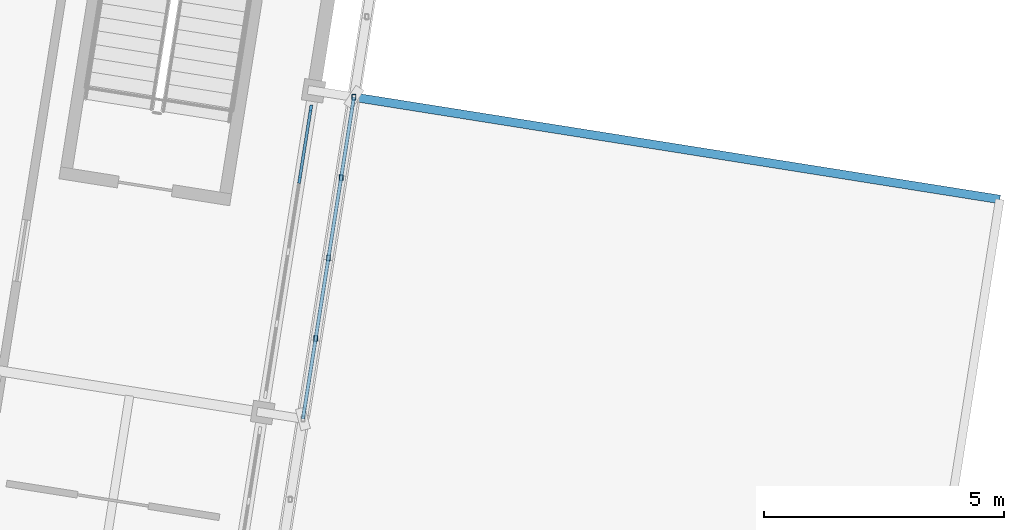
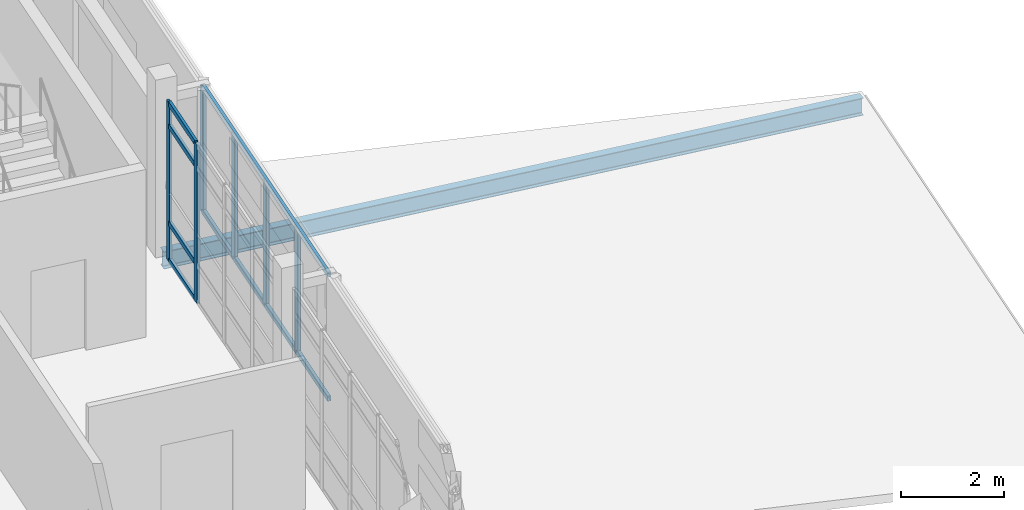
# One storey, part 84 of 137: 12 members, 1 beam, 1 element without a shape of its own.
"""IFC4 building model written with IfcOpenShell, lengths in metres."""

from ifc_helpers import new_model, si_unit, direction, frame, origin, origin_2d, place, context, subcontext, project, spatial, rectangle, hollow_rectangle, i_section, extrude, material, material_profile, profile_set, type_object, element, aggregate, save


model = new_model("IFC4")

# Units and contexts
model_context = context("Model", 3, precision=1e-05, world=origin(), true_north=direction((0.0, 1.0)))
body_context = subcontext(model_context, "Body", "Model", "MODEL_VIEW")
ifc_project = project(units=[si_unit("LENGTHUNIT", "METRE"), si_unit("AREAUNIT", "SQUARE_METRE"), si_unit("VOLUMEUNIT", "CUBIC_METRE"), si_unit("PLANEANGLEUNIT", "RADIAN"), si_unit("MASSUNIT", "GRAM", prefix="KILO")], contexts=[model_context])

# Site, building, storey
site_placement = place(None, origin())
site = spatial("IfcSite", under=ifc_project, at=site_placement, CompositionType="ELEMENT")
building_placement = place(site_placement, origin())
building = spatial("IfcBuilding", under=site, at=building_placement, Name="Cinderway Yard Community Centre", CompositionType="ELEMENT")
storey_placement = place(building_placement, frame((0.0, 0.0, 4.800048828125)))
storey = spatial("IfcBuildingStorey", under=building, at=storey_placement, Name="L01", CompositionType="ELEMENT", Elevation=4.800048828125)

# Curtain wall, members
ifc_material_1 = material(Name="Aluminium 6063-T6", Category="aluminium")
curtain_wall_type = type_object("IfcCurtainWallType", Name="ENV-CW-TYPE-16", PredefinedType="USERDEFINED", material=ifc_material_1)
curtain_wall_placement = place(storey_placement, origin())
curtain_wall = element("IfcCurtainWall", 1, at=curtain_wall_placement, inside=storey, type_object=curtain_wall_type, Name="Fitness East Curtain Wall ENV-CW-L01-ST-0059", ObjectType="GLAZED CURTAIN WALL", PredefinedType="USERDEFINED")
ifc_material_profile_1 = material_profile(ifc_material_1, rectangle(XDim=0.06005859375, YDim=0.159912109375, at=origin_2d()), Name="Aluminium 6063-T6")
ifc_profile_set_1 = profile_set([ifc_material_profile_1], Name="Aluminium 6063-T6")
member_type_1 = type_object("IfcMemberType", Name="ENV-CW-MULL-150", PredefinedType="MULLION", material=ifc_profile_set_1)
member_1_placement = place(storey_placement, frame((151.592529296875, 58.320068359375, 0.0), z_axis=(0.0, 0.0, 1.0), x_axis=(-0.987691073089, 0.156417211778, 0.0)))
member_1 = element("IfcMember", 2, at=member_1_placement, type_object=member_type_1, Name="CW-16 mullion 4", PredefinedType="MULLION", context=body_context, shape_type="SweptSolid", body=[
    extrude(rectangle(XDim=0.06005859375, YDim=0.159912109375, at=origin_2d()), origin(), (0.0, 0.0, 1.0), 3.75),
])
member_2_placement = place(storey_placement, frame((151.826416015625, 59.79638671875, 0.0), z_axis=(0.0, 0.0, 1.0), x_axis=(-0.987691073089, 0.156417211778, 0.0)))
member_2 = element("IfcMember", 3, at=member_2_placement, type_object=member_type_1, Name="CW-16 mullion 5", PredefinedType="MULLION", context=body_context, shape_type="SweptSolid", body=[
    extrude(rectangle(XDim=0.06005859375, YDim=0.159912109375, at=origin_2d()), origin(), (0.0, 0.0, 1.0), 3.75),
])
ifc_material_profile_2 = material_profile(ifc_material_1, rectangle(XDim=0.06005859375, YDim=0.1201171875, at=origin_2d()), Name="Aluminium 6063-T6")
ifc_profile_set_2 = profile_set([ifc_material_profile_2], Name="Aluminium 6063-T6")
member_type_2 = type_object("IfcMemberType", Name="ENV-CW-TRAN-110", PredefinedType="USERDEFINED", material=ifc_profile_set_2)
member_3_placement = place(storey_placement, frame((151.59716796875, 58.349609375, 0.030029296875), z_axis=(0.156364473776, 0.98769942358, 0.0), x_axis=(-0.98769942358, 0.156364473776, 0.0)))
member_3 = element("IfcMember", 4, at=member_3_placement, type_object=member_type_2, Name="CW-16 transom 4.1", ObjectType="TRANSOM", PredefinedType="USERDEFINED", context=body_context, shape_type="SweptSolid", body=[
    extrude(rectangle(XDim=0.06005859375, YDim=0.1201171875, at=origin_2d()), origin(), (0.0, 0.0, 1.0), 1.434814453125),
])
member_4_placement = place(storey_placement, frame((151.59716796875, 58.349609375, 0.89990234375), z_axis=(0.156364473776, 0.98769942358, 0.0), x_axis=(-0.98769942358, 0.156364473776, 0.0)))
member_4 = element("IfcMember", 5, at=member_4_placement, type_object=member_type_2, Name="CW-16 transom 4.2", ObjectType="TRANSOM", PredefinedType="USERDEFINED", context=body_context, shape_type="SweptSolid", body=[
    extrude(rectangle(XDim=0.06005859375, YDim=0.1201171875, at=origin_2d()), origin(), (0.0, 0.0, 1.0), 1.434814453125),
])
member_5_placement = place(storey_placement, frame((151.59716796875, 58.349609375, 3.199951171875), z_axis=(0.156364473776, 0.98769942358, 0.0), x_axis=(-0.98769942358, 0.156364473776, 0.0)))
member_5 = element("IfcMember", 6, at=member_5_placement, type_object=member_type_2, Name="CW-16 transom 4.3", ObjectType="TRANSOM", PredefinedType="USERDEFINED", context=body_context, shape_type="SweptSolid", body=[
    extrude(rectangle(XDim=0.06005859375, YDim=0.1201171875, at=origin_2d()), origin(), (0.0, 0.0, 1.0), 1.434814453125),
])
member_6_placement = place(storey_placement, frame((151.59716796875, 58.349609375, 3.719970703125), z_axis=(0.156364473776, 0.98769942358, 0.0), x_axis=(-0.98769942358, 0.156364473776, 0.0)))
member_6 = element("IfcMember", 7, at=member_6_placement, type_object=member_type_2, Name="CW-16 transom 4.4", ObjectType="TRANSOM", PredefinedType="USERDEFINED", context=body_context, shape_type="SweptSolid", body=[
    extrude(rectangle(XDim=0.06005859375, YDim=0.1201171875, at=origin_2d()), origin(), (0.0, 0.0, 1.0), 1.434814453125),
])
aggregate(curtain_wall, [member_1, member_2, member_3, member_4, member_5, member_6])

# Members
ifc_material_2 = material(Name="Steel S355", Category="steel")
ifc_material_profile_3 = material_profile(ifc_material_2, hollow_rectangle(XDim=0.080078125, YDim=0.1201171875, WallThickness=0.00634765625, InnerFilletRadius=0.00634765625, OuterFilletRadius=0.0126953125, at=origin_2d()), Name="Steel S355")
ifc_profile_set_3 = profile_set([ifc_material_profile_3], Name="Steel S355")
member_type_3 = type_object("IfcMemberType", Name="ENV-MEM-SCREEN-RAIL-120", PredefinedType="STRINGER", material=ifc_profile_set_3)
for number, where, z_axis, x_axis, name in (
    (8, (151.662109375, 53.322998046875, 0.7099609375), (0.156469575446, 0.987682779013, 0.0), (-0.987682779013, 0.156469575446, 0.0), "Screen support rail 1026-BOT"),
    (9, (151.662109375, 53.322998046875, 3.639892578125), (0.156469575446, 0.987682779013, 0.0), (-0.987682779013, 0.156469575446, 0.0), "Screen support rail 1027-TOP"),
):
    element("IfcMember", number, at=place(storey_placement, frame(where, z_axis=z_axis, x_axis=x_axis)), inside=storey, type_object=member_type_3, Name=name, PredefinedType="STRINGER", context=body_context, shape_type="SweptSolid", body=[
        extrude(hollow_rectangle(XDim=0.080078125, YDim=0.1201171875, WallThickness=0.00634765625, InnerFilletRadius=0.00634765625, OuterFilletRadius=0.0126953125, at=origin_2d()), origin(), (0.0, 0.0, 1.0), 6.7998046875),
    ])
for number, where, z_axis, x_axis, name in (
    (10, (151.927978515625, 55.001953125, 0.68994140625), (0.0, 0.0, 1.0), (1.0, 0.0, 0.0), "Screen vertical mullion 1028"),
    (11, (152.194091796875, 56.680908203125, 0.68994140625), (0.0, 0.0, 1.0), (1.0, 0.0, 0.0), "Screen vertical mullion 1029"),
    (12, (152.4599609375, 58.360107421875, 0.68994140625), (0.0, 0.0, 1.0), (1.0, 0.0, 0.0), "Screen vertical mullion 1030"),
    (13, (152.72607421875, 60.0390625, 0.68994140625), (0.0, 0.0, 1.0), (1.0, 0.0, 0.0), "Screen vertical mullion 1031"),
):
    element("IfcMember", number, at=place(storey_placement, frame(where, z_axis=z_axis, x_axis=x_axis)), inside=storey, type_object=member_type_3, Name=name, PredefinedType="STRINGER", context=body_context, shape_type="SweptSolid", body=[
        extrude(hollow_rectangle(XDim=0.080078125, YDim=0.1201171875, WallThickness=0.00634765625, InnerFilletRadius=0.00634765625, OuterFilletRadius=0.0126953125, at=origin_2d()), origin(), (0.0, 0.0, 1.0), 2.969970703125),
    ])

# Beam
ifc_material_profile_4 = material_profile(ifc_material_2, i_section(OverallWidth=0.178955078125, OverallDepth=0.409912109375, WebThickness=0.0087890625, FlangeThickness=0.013427734375, FilletRadius=0.011962890625, at=origin_2d()), Name="Steel S355")
ifc_profile_set_4 = profile_set([ifc_material_profile_4], Name="Steel S355")
beam_type = type_object("IfcBeamType", Name="STR-BM-W410X67", PredefinedType="JOIST", material=ifc_profile_set_4)
beam_placement = place(storey_placement, frame((151.885986328125, 60.172119140625, -0.205078125), z_axis=(0.987690091102, -0.156423412372, 0.0), x_axis=(0.156423412372, 0.987690091102, 0.0)))
element("IfcBeam", 14, at=beam_placement, inside=storey, type_object=beam_type, Name="V2 EAST-PORCH ring STR-BM-L01-SJ02-1032", PredefinedType="JOIST", context=body_context, shape_type="SweptSolid", body=[
    extrude(i_section(OverallWidth=0.178955078125, OverallDepth=0.409912109375, WebThickness=0.0087890625, FlangeThickness=0.013427734375, FilletRadius=0.011962890625, at=origin_2d()), origin(), (0.0, 0.0, 1.0), 14.49951171875),
])

save(model, "model.ifc")
